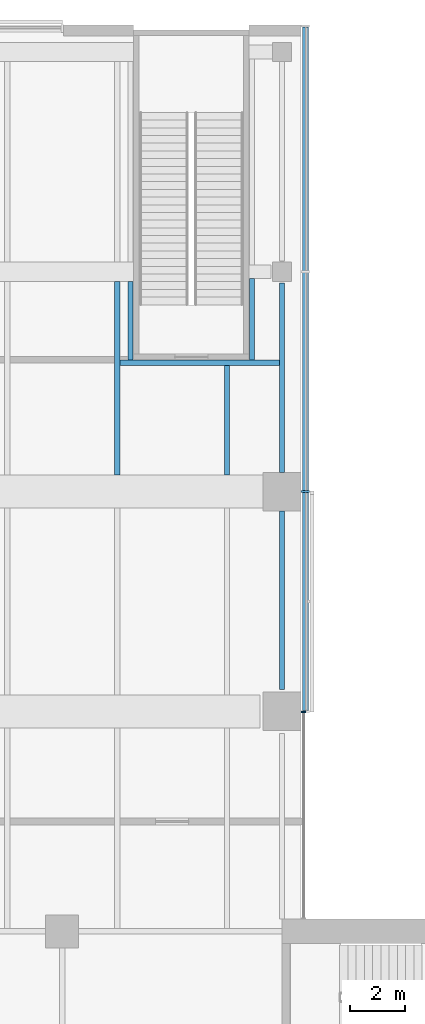
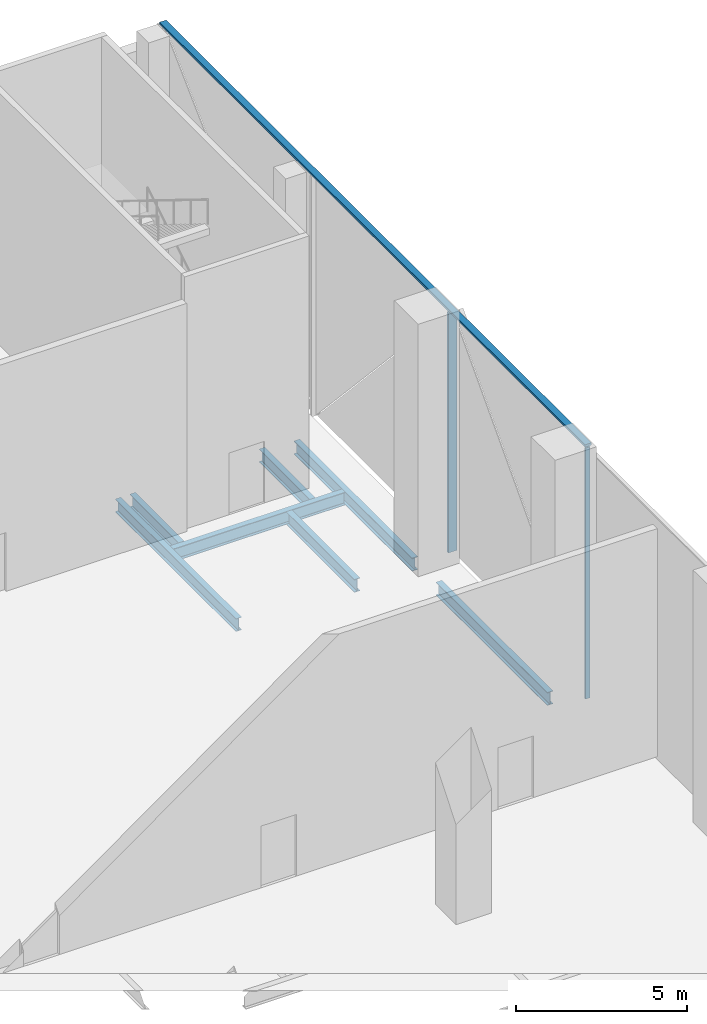
# One storey, part 10 of 26: 7 beams, 3 members, 2 elements without a shape of their own.
"""IFC4 building model written with IfcOpenShell, lengths in metres."""

from ifc_helpers import new_model, si_unit, direction, frame, origin, origin_2d, place, context, subcontext, project, spatial, rectangle, i_section, extrude, material, material_profile, profile_set, type_object, element, aggregate, save


model = new_model("IFC4")

# Units and contexts
model_context = context("Model", 3, precision=1e-05, world=origin(), true_north=direction((0.0, 1.0)))
body_context = subcontext(model_context, "Body", "Model", "MODEL_VIEW")
ifc_project = project(units=[si_unit("LENGTHUNIT", "METRE"), si_unit("AREAUNIT", "SQUARE_METRE"), si_unit("VOLUMEUNIT", "CUBIC_METRE"), si_unit("PLANEANGLEUNIT", "RADIAN"), si_unit("MASSUNIT", "GRAM", prefix="KILO")], contexts=[model_context])

# Site, building, storey
site_placement = place(None, origin())
site = spatial("IfcSite", under=ifc_project, at=site_placement, CompositionType="ELEMENT")
building_placement = place(site_placement, origin())
building = spatial("IfcBuilding", under=site, at=building_placement, Name="Crosswind Convention Tower", CompositionType="ELEMENT")
storey_placement = place(building_placement, frame((0.0, 0.0, 25.0)))
storey = spatial("IfcBuildingStorey", under=building, at=storey_placement, Name="L03", CompositionType="ELEMENT", Elevation=25.0)

# Beams
ifc_material_1 = material(Name="Steel S355", Category="steel")
ifc_material_profile_1 = material_profile(ifc_material_1, i_section(OverallWidth=0.19287109375, OverallDepth=0.467529296875, WebThickness=0.011474609375, FlangeThickness=0.01953125, FilletRadius=0.01025390625, at=origin_2d()), Name="UB 457x191x98")
ifc_profile_set_1 = profile_set([ifc_material_profile_1], Name="Steel S355")
beam_type_1 = type_object("IfcBeamType", Name="Edge beam UB 457x191x98", PredefinedType="SPANDREL", material=ifc_profile_set_1)
beam_1_placement = place(storey_placement, frame((137.0, 120.800048828125, -0.6337890625), z_axis=(0.0, 1.0, 0.0), x_axis=(-1.0, 0.0, 0.0)))
element("IfcBeam", 1, at=beam_1_placement, inside=storey, type_object=beam_type_1, Name="B20 L03 edge beam 18", PredefinedType="SPANDREL", context=body_context, shape_type="SweptSolid", body=[
    extrude(i_section(OverallWidth=0.19287109375, OverallDepth=0.467529296875, WebThickness=0.011474609375, FlangeThickness=0.01953125, FilletRadius=0.01025390625, at=origin_2d()), origin(), (0.0, 0.0, 1.0), 6.5),
])
beam_2_placement = place(storey_placement, frame((137.0, 128.699951171875, -0.6337890625), z_axis=(0.0, 1.0, 0.0), x_axis=(-1.0, 0.0, 0.0)))
element("IfcBeam", 2, at=beam_2_placement, inside=storey, type_object=beam_type_1, Name="B20 L03 edge beam 19", PredefinedType="SPANDREL", context=body_context, shape_type="SweptSolid", body=[
    extrude(i_section(OverallWidth=0.19287109375, OverallDepth=0.467529296875, WebThickness=0.011474609375, FlangeThickness=0.01953125, FilletRadius=0.01025390625, at=origin_2d()), origin(), (0.0, 0.0, 1.0), 6.900146484375),
])

# Curtain wall, member
ifc_material_2 = material(Name="Aluminium unitised curtain wall", Category="aluminium")
curtain_wall_type_1 = type_object("IfcCurtainWallType", Name="CORE END SLOT WALL 160", PredefinedType="USERDEFINED", material=ifc_material_2)
curtain_wall_1_placement = place(storey_placement, origin())
curtain_wall_1 = element("IfcCurtainWall", 3, at=curtain_wall_1_placement, inside=storey, type_object=curtain_wall_type_1, Name="CW6 L03 N-E.1-1 slot", ObjectType="UNITISED", PredefinedType="USERDEFINED")
ifc_material_3 = material(Name="Aluminium mullion", Category="aluminium")
ifc_material_profile_2 = material_profile(ifc_material_3, rectangle(XDim=0.159912109375, YDim=0.050048828125, at=origin_2d()), Name="AL 160X50")
ifc_profile_set_2 = profile_set([ifc_material_profile_2], Name="Aluminium mullion")
member_type_1 = type_object("IfcMemberType", Name="MULLION 50X160", PredefinedType="MULLION", material=ifc_profile_set_2)
member_1_placement = place(storey_placement, frame((137.780029296875, 119.97509765625, -0.39990234375), z_axis=(0.0, 0.0, 1.0), x_axis=(1.0, 0.0, 0.0)))
member_1 = element("IfcMember", 4, at=member_1_placement, type_object=member_type_1, Name="CW6 mullion 2", PredefinedType="MULLION", context=body_context, shape_type="SweptSolid", body=[
    extrude(rectangle(XDim=0.159912109375, YDim=0.050048828125, at=origin_2d()), origin(), (0.0, 0.0, 1.0), 8.949951171875),
])
aggregate(curtain_wall_1, [member_1])

curtain_wall_type_2 = type_object("IfcCurtainWallType", Name="PODIUM UNITISED WALL 300", PredefinedType="USERDEFINED", material=ifc_material_2)
curtain_wall_2_placement = place(storey_placement, origin())
curtain_wall_2 = element("IfcCurtainWall", 5, at=curtain_wall_2_placement, inside=storey, type_object=curtain_wall_type_2, Name="CW1 L03 N-E 1", ObjectType="UNITISED", PredefinedType="USERDEFINED")
ifc_material_profile_3 = material_profile(ifc_material_3, rectangle(XDim=0.300048828125, YDim=0.080078125, at=origin_2d()), Name="AL 300X80")
ifc_profile_set_3 = profile_set([ifc_material_profile_3], Name="Aluminium mullion")
member_type_2 = type_object("IfcMemberType", Name="MULLION 80X300", PredefinedType="MULLION", material=ifc_profile_set_3)
member_2_placement = place(storey_placement, frame((137.85009765625, 128.0, -0.044921875), z_axis=(0.0, 0.0, 1.0), x_axis=(1.0, 0.0, 0.0)))
member_2 = element("IfcMember", 6, at=member_2_placement, type_object=member_type_2, Name="CW1 mullion 2", PredefinedType="MULLION", context=body_context, shape_type="SweptSolid", body=[
    extrude(rectangle(XDim=0.300048828125, YDim=0.080078125, at=origin_2d()), origin(), (0.0, 0.0, 1.0), 8.56494140625),
])

# Beams
ifc_material_profile_4 = material_profile(ifc_material_1, i_section(OverallWidth=0.19140625, OverallDepth=0.460205078125, WebThickness=0.010009765625, FlangeThickness=0.01611328125, FilletRadius=0.01025390625, at=origin_2d()), Name="UB 457x191x82")
ifc_profile_set_4 = profile_set([ifc_material_profile_4], Name="Steel S355")
beam_type_2 = type_object("IfcBeamType", Name="Secondary beam UB 457x191x82", PredefinedType="JOIST", material=ifc_profile_set_4)
beam_3_placement = place(storey_placement, frame((131.0, 128.60009765625, -0.630126953125), z_axis=(0.0, 1.0, 0.0), x_axis=(-1.0, 0.0, 0.0)))
element("IfcBeam", 7, at=beam_3_placement, inside=storey, type_object=beam_type_2, Name="B13 L03 secondary beam 56", PredefinedType="JOIST", context=body_context, shape_type="SweptSolid", body=[
    extrude(i_section(OverallWidth=0.19140625, OverallDepth=0.460205078125, WebThickness=0.010009765625, FlangeThickness=0.01611328125, FilletRadius=0.01025390625, at=origin_2d()), origin(), (0.0, 0.0, 1.0), 7.0498046875),
])
beam_4_placement = place(storey_placement, frame((135.0, 128.60009765625, -0.630126953125), z_axis=(0.0, 1.0, 0.0), x_axis=(-1.0, 0.0, 0.0)))
element("IfcBeam", 8, at=beam_4_placement, inside=storey, type_object=beam_type_2, Name="B13 L03 secondary beam 63", PredefinedType="JOIST", context=body_context, shape_type="SweptSolid", body=[
    extrude(i_section(OverallWidth=0.19140625, OverallDepth=0.460205078125, WebThickness=0.010009765625, FlangeThickness=0.01611328125, FilletRadius=0.01025390625, at=origin_2d()), origin(), (0.0, 0.0, 1.0), 3.993896484375),
])

# Member
ifc_material_4 = material(Name="Aluminium transom", Category="aluminium")
ifc_material_profile_5 = material_profile(ifc_material_4, rectangle(XDim=0.219970703125, YDim=0.080078125, at=origin_2d()), Name="AL 220X80")
ifc_profile_set_5 = profile_set([ifc_material_profile_5], Name="Aluminium transom")
member_type_3 = type_object("IfcMemberType", Name="TRANSOM 80X220", PredefinedType="USERDEFINED", material=ifc_profile_set_5)
member_3_placement = place(storey_placement, frame((137.85009765625, 120.0400390625, 8.56005859375), z_axis=(0.0, 1.0, 0.0), x_axis=(-1.0, 0.0, 0.0)))
member_3 = element("IfcMember", 9, at=member_3_placement, type_object=member_type_3, Name="CW1 transom", ObjectType="TRANSOM", PredefinedType="USERDEFINED", context=body_context, shape_type="SweptSolid", body=[
    extrude(rectangle(XDim=0.219970703125, YDim=0.080078125, at=origin_2d()), origin(), (0.0, 0.0, 1.0), 24.864990234375),
])

aggregate(curtain_wall_2, [member_2, member_3])

# Beams
ifc_material_profile_6 = material_profile(ifc_material_1, i_section(OverallWidth=0.19189453125, OverallDepth=0.463623046875, WebThickness=0.010498046875, FlangeThickness=0.017578125, FilletRadius=0.01025390625, at=origin_2d()), Name="UB 457x191x90")
ifc_profile_set_6 = profile_set([ifc_material_profile_6], Name="Steel S355")
beam_type_3 = type_object("IfcBeamType", Name="Trimmer beam UB 457x191x90", PredefinedType="BEAM", material=ifc_profile_set_6)
beam_5_placement = place(storey_placement, frame((131.095703125, 132.68994140625, -0.6318359375), z_axis=(1.0, 0.0, 0.0), x_axis=(0.0, 1.0, 0.0)))
element("IfcBeam", 10, at=beam_5_placement, inside=storey, type_object=beam_type_3, Name="B33 L03 trimmer beam 22", PredefinedType="BEAM", context=body_context, shape_type="SweptSolid", body=[
    extrude(i_section(OverallWidth=0.19189453125, OverallDepth=0.463623046875, WebThickness=0.010498046875, FlangeThickness=0.017578125, FilletRadius=0.01025390625, at=origin_2d()), origin(), (0.0, 0.0, 1.0), 5.807861328125),
])
beam_6_placement = place(storey_placement, frame((131.489990234375, 132.785888671875, -0.6318359375), z_axis=(0.0, 1.0, 0.0), x_axis=(-1.0, 0.0, 0.0)))
element("IfcBeam", 11, at=beam_6_placement, inside=storey, type_object=beam_type_3, Name="B33 L03 trimmer beam 25", PredefinedType="BEAM", context=body_context, shape_type="SweptSolid", body=[
    extrude(i_section(OverallWidth=0.19189453125, OverallDepth=0.463623046875, WebThickness=0.010498046875, FlangeThickness=0.017578125, FilletRadius=0.01025390625, at=origin_2d()), origin(), (0.0, 0.0, 1.0), 2.864013671875),
])
beam_7_placement = place(storey_placement, frame((135.909912109375, 132.785888671875, -0.6318359375), z_axis=(0.0, 1.0, 0.0), x_axis=(-1.0, 0.0, 0.0)))
element("IfcBeam", 12, at=beam_7_placement, inside=storey, type_object=beam_type_3, Name="B33 L03 trimmer beam 29", PredefinedType="BEAM", context=body_context, shape_type="SweptSolid", body=[
    extrude(i_section(OverallWidth=0.19189453125, OverallDepth=0.463623046875, WebThickness=0.010498046875, FlangeThickness=0.017578125, FilletRadius=0.01025390625, at=origin_2d()), origin(), (0.0, 0.0, 1.0), 2.964111328125),
])

save(model, "model.ifc")
